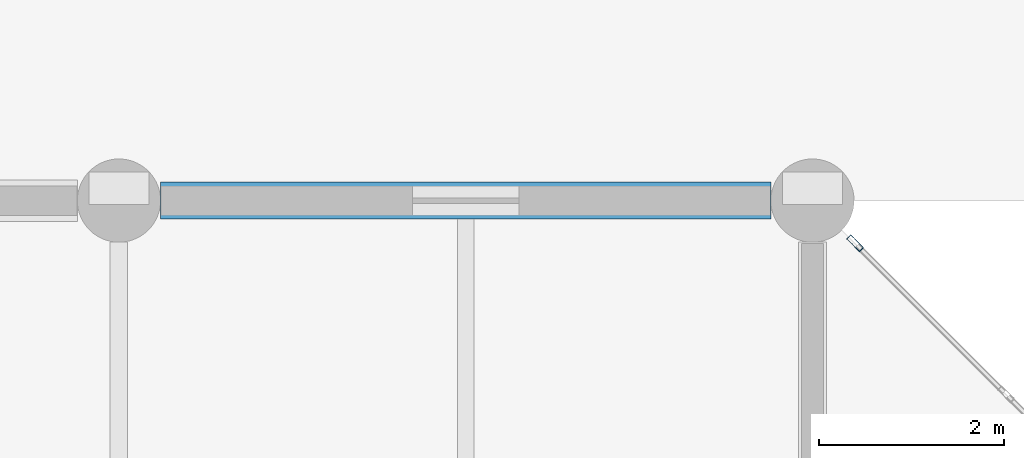
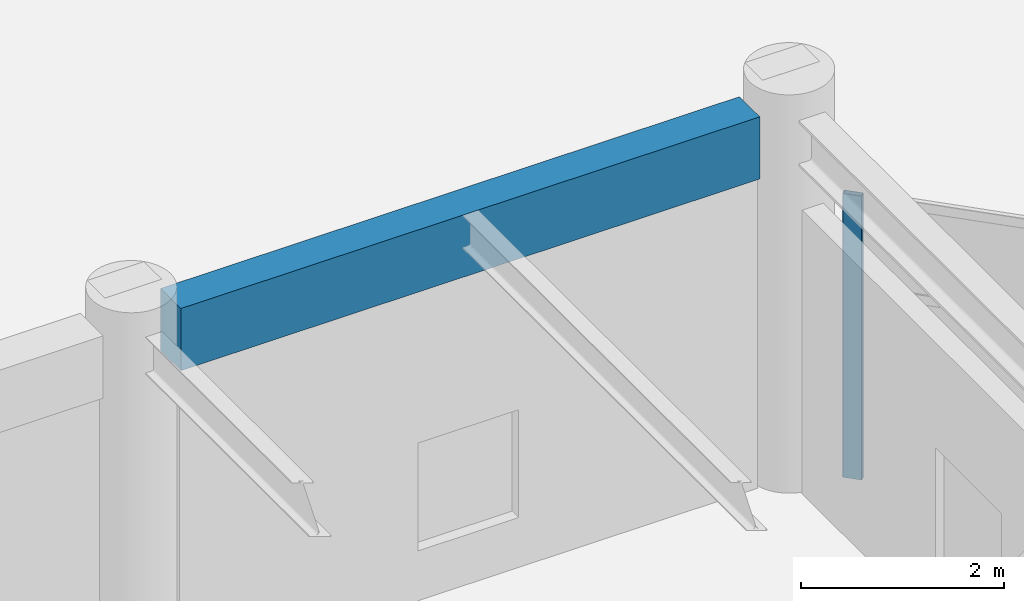
# One storey, part 61 of 122: 1 beam, 1 member, 1 element without a shape of its own.
"""IFC4 building model written with IfcOpenShell, lengths in metres."""

from ifc_helpers import new_model, si_unit, direction, frame, origin, origin_2d, place, context, subcontext, project, spatial, rectangle, hollow_rectangle, extrude, material, material_profile, profile_set, type_object, element, aggregate, save


model = new_model("IFC4")

# Units and contexts
model_context = context("Model", 3, precision=1e-05, world=origin(), true_north=direction((0.0, 1.0)))
body_context = subcontext(model_context, "Body", "Model", "MODEL_VIEW")
ifc_project = project(units=[si_unit("LENGTHUNIT", "METRE"), si_unit("AREAUNIT", "SQUARE_METRE"), si_unit("VOLUMEUNIT", "CUBIC_METRE"), si_unit("PLANEANGLEUNIT", "RADIAN"), si_unit("MASSUNIT", "GRAM", prefix="KILO")], contexts=[model_context])

# Site, building, storey
site_placement = place(None, origin())
site = spatial("IfcSite", under=ifc_project, at=site_placement, CompositionType="ELEMENT")
building_placement = place(site_placement, origin())
building = spatial("IfcBuilding", under=site, at=building_placement, Name="Qasida Concert Hall", CompositionType="ELEMENT")
storey_placement = place(building_placement, origin())
storey = spatial("IfcBuildingStorey", under=building, at=storey_placement, Name="L00", CompositionType="ELEMENT", Elevation=0.0)

# Beam
ifc_material_1 = material(Name="Concrete C40/50", Category="concrete")
ifc_material_profile_1 = material_profile(ifc_material_1, rectangle(XDim=0.39990234375, YDim=0.75, at=origin_2d()), Name="RC 400x750")
ifc_profile_set_1 = profile_set([ifc_material_profile_1], Name="Concrete C40/50")
beam_type = type_object("IfcBeamType", Name="BM-SP1", PredefinedType="SPANDREL", material=ifc_profile_set_1)
beam_placement = place(storey_placement, frame((150.449951171875, 30.0, 4.125), z_axis=(1.0, 0.0, 0.0), x_axis=(0.0, 1.0, 0.0)))
element("IfcBeam", 1, at=beam_placement, inside=storey, type_object=beam_type, Name="Primary girder 0481", PredefinedType="SPANDREL", context=body_context, shape_type="SweptSolid", body=[
    extrude(rectangle(XDim=0.39990234375, YDim=0.75, at=origin_2d()), origin(), (0.0, 0.0, 1.0), 6.60009765625),
])

# Curtain wall, member
ifc_material_2 = material(Name="Architectural bronze-anodized aluminium and low-E glass", Category="aluminium")
curtain_wall_type = type_object("IfcCurtainWallType", Name="CW-07", PredefinedType="NOTDEFINED", material=ifc_material_2)
curtain_wall_placement = place(storey_placement, origin())
curtain_wall = element("IfcCurtainWall", 2, at=curtain_wall_placement, inside=storey, type_object=curtain_wall_type, Name="L00 curtain wall CW-07 0140", PredefinedType="NOTDEFINED")
ifc_material_3 = material(Name="Architectural bronze-anodized aluminium EN AW-6063", Category="aluminium")
ifc_material_profile_2 = material_profile(ifc_material_3, hollow_rectangle(XDim=0.06494140625, YDim=0.199951171875, WallThickness=0.0048828125, InnerFilletRadius=0.0048828125, OuterFilletRadius=0.010009765625, at=origin_2d()), Name="CWM 200x65x5")
ifc_profile_set_2 = profile_set([ifc_material_profile_2], Name="Architectural bronze-anodized aluminium EN AW-6063")
member_type = type_object("IfcMemberType", Name="MB-CWM-2", PredefinedType="MULLION", material=ifc_profile_set_2)
member_placement = place(storey_placement, frame((157.96142578125, 29.53857421875, 0.0), z_axis=(0.0, 0.0, 1.0), x_axis=(-0.707106781187, -0.707106781187, 0.0)))
member = element("IfcMember", 3, at=member_placement, type_object=member_type, Name="CW-07 mullion 5", PredefinedType="MULLION", context=body_context, shape_type="SweptSolid", body=[
    extrude(hollow_rectangle(XDim=0.06494140625, YDim=0.199951171875, WallThickness=0.0048828125, InnerFilletRadius=0.0048828125, OuterFilletRadius=0.010009765625, at=origin_2d()), origin(), (0.0, 0.0, 1.0), 3.419921875),
])
aggregate(curtain_wall, [member])

save(model, "model.ifc")
